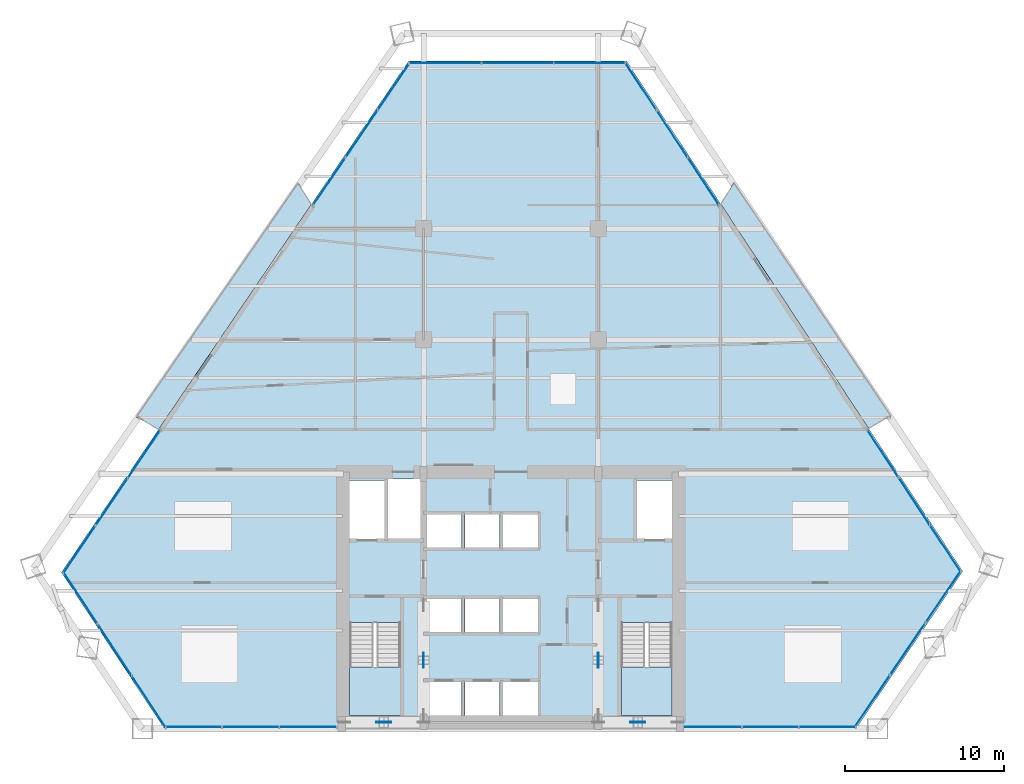
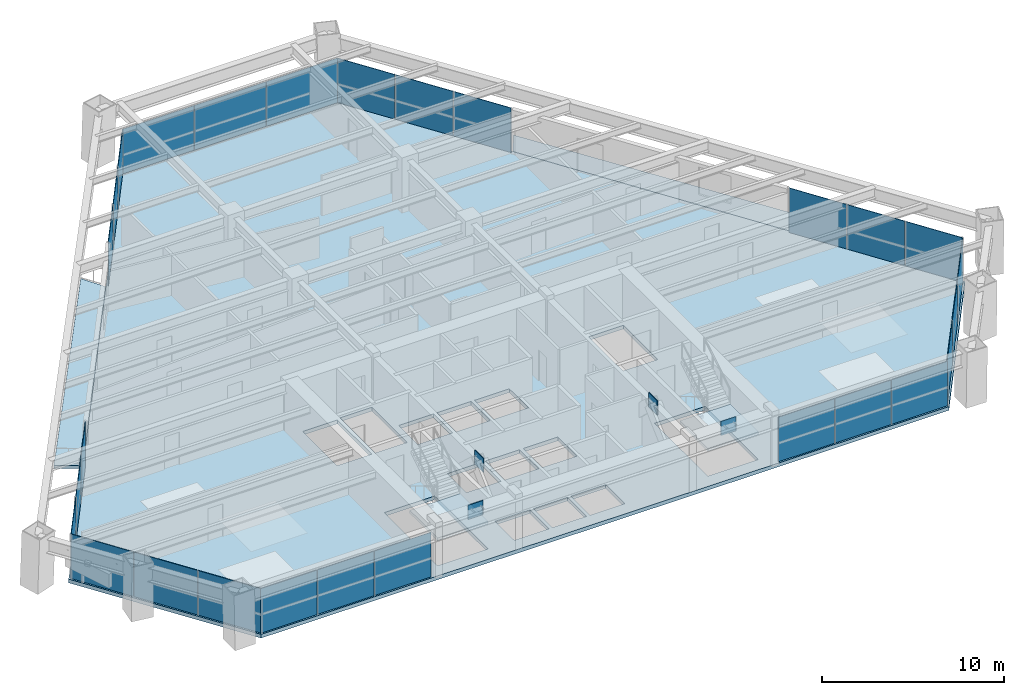
# One storey, part 9 of 14: 31 plates, 5 slabs, 11 elements without a shape of their own.
"""IFC4 building model written with IfcOpenShell, lengths in metres."""

from ifc_helpers import new_model, si_unit, direction, frame, origin, origin_2d, place, context, subcontext, project, spatial, polyline, rectangle, outline, extrude, source, transform, mapped, material, layer, layer_set, type_object, element, aggregate, save


model = new_model("IFC4")

# Units and contexts
model_context = context("Model", 3, precision=1e-05, world=origin(), true_north=direction((0.0, 1.0)))
body_context = subcontext(model_context, "Body", "Model", "MODEL_VIEW")
ifc_project = project(units=[si_unit("LENGTHUNIT", "METRE"), si_unit("AREAUNIT", "SQUARE_METRE"), si_unit("VOLUMEUNIT", "CUBIC_METRE"), si_unit("PLANEANGLEUNIT", "RADIAN"), si_unit("MASSUNIT", "GRAM", prefix="KILO")], contexts=[model_context])

# Site, building, storey
site_placement = place(None, origin())
site = spatial("IfcSite", under=ifc_project, at=site_placement, CompositionType="ELEMENT")
building_placement = place(site_placement, origin())
building = spatial("IfcBuilding", under=site, at=building_placement, Name="Varnakhor Terracotta Tower", CompositionType="ELEMENT")
storey_placement = place(building_placement, frame((0.0, 0.0, 68.199951171875)))
storey = spatial("IfcBuildingStorey", under=building, at=storey_placement, Name="L16", CompositionType="ELEMENT", Elevation=68.199951171875)

# Stair, slab
ifc_material_1 = material(Name="Concrete C40/50", Category="concrete")
stair_type = type_object("IfcStairType", Name="STR-CORE-OFFICE-1500", PredefinedType="HALF_TURN_STAIR", material=ifc_material_1)
stair_1_placement = place(storey_placement, origin())
stair_1 = element("IfcStair", 1, at=stair_1_placement, inside=storey, type_object=stair_type, Name="L16 Core Exit Stair ST-1", PredefinedType="HALF_TURN_STAIR")
ifc_layer_1 = layer(ifc_material_1, 0.179931640625, Name="Concrete C40/50")
ifc_layer_set_1 = layer_set([ifc_layer_1], Name="Concrete C40/50")
slab_type_1 = type_object("IfcSlabType", Name="SLB-LANDING-180", PredefinedType="LANDING", material=ifc_layer_set_1)
slab_1_placement = place(storey_placement, frame((0.0, 0.0, 1.650146484375)))
slab_1 = element("IfcSlab", 2, at=slab_1_placement, type_object=slab_type_1, Name="ST-1 landing 1", PredefinedType="LANDING", context=body_context, shape_type="SweptSolid", body=[
    extrude(outline(polyline([(-10.14990234375, 3.909912109375), (-10.14990234375, 0.85009765625), (-6.949951171875, 0.85009765625), (-6.949951171875, 3.909912109375), (-10.14990234375, 3.909912109375)])), origin(), (0.0, 0.0, 1.0), 0.199951171875),
])
aggregate(stair_1, [slab_1])

stair_2_placement = place(storey_placement, origin())
stair_2 = element("IfcStair", 3, at=stair_2_placement, inside=storey, type_object=stair_type, Name="L16 Core Exit Stair ST-2", PredefinedType="HALF_TURN_STAIR")
slab_2_placement = place(storey_placement, frame((0.0, 0.0, 1.650146484375)))
slab_2 = element("IfcSlab", 4, at=slab_2_placement, type_object=slab_type_1, Name="ST-2 landing 1", PredefinedType="LANDING", context=body_context, shape_type="SweptSolid", body=[
    extrude(outline(polyline([(6.949951171875, 3.909912109375), (6.949951171875, 0.85009765625), (10.14990234375, 0.85009765625), (10.14990234375, 3.909912109375), (6.949951171875, 3.909912109375)])), origin(), (0.0, 0.0, 1.0), 0.199951171875),
])
aggregate(stair_2, [slab_2])

# Slabs
ifc_layer_2 = layer(ifc_material_1, 0.195068359375, Name="Concrete C40/50")
ifc_layer_set_2 = layer_set([ifc_layer_2], Name="Concrete C40/50")
slab_type_2 = type_object("IfcSlabType", Name="SLB-LOGGIA-EXT-195", PredefinedType="FLOOR", material=ifc_layer_set_2)
slab_3_placement = place(storey_placement, frame((0.0, 0.0, -0.195068359375)))
element("IfcSlab", 5, at=slab_3_placement, inside=storey, type_object=slab_type_2, Name="L16 E Recessed Outdoor Loggia Slab", PredefinedType="FLOOR", context=body_context, shape_type="SweptSolid", body=[
    extrude(outline(polyline([(14.024169921875, 34.41064453125), (23.932861328125, 19.6953125), (22.528564453125, 18.917724609375), (13.214111328125, 33.05224609375), (14.024169921875, 34.41064453125)])), origin(), (0.0, 0.0, 1.0), 0.195068359375),
])
slab_4_placement = place(storey_placement, frame((0.0, 0.0, -0.195068359375)))
element("IfcSlab", 6, at=slab_4_placement, inside=storey, type_object=slab_type_2, Name="L16 W Recessed Outdoor Loggia Slab", PredefinedType="FLOOR", context=body_context, shape_type="SweptSolid", body=[
    extrude(outline(polyline([(-23.59228515625, 19.640380859375), (-13.377197265625, 34.389404296875), (-12.56640625, 33.03173828125), (-22.185546875, 18.864990234375), (-23.59228515625, 19.640380859375)])), origin(), (0.0, 0.0, 1.0), 0.195068359375),
])
ifc_layer_3 = layer(ifc_material_1, 0.25, Name="Concrete C40/50")
ifc_layer_set_3 = layer_set([ifc_layer_3], Name="Concrete C40/50")
slab_type_3 = type_object("IfcSlabType", Name="SLB-OFF-250", PredefinedType="FLOOR", material=ifc_layer_set_3)
slab_5_placement = place(storey_placement, frame((0.0, 0.0, -0.25)))
element("IfcSlab", 7, at=slab_5_placement, inside=storey, type_object=slab_type_3, Name="L16 Structural Floor Slab", PredefinedType="FLOOR", context=body_context, shape_type="SweptSolid", body=[
    extrude(outline(polyline([(-28.306884765625, 9.85009765625), (-6.4453125, 42.046875), (7.286865234375, 42.046875), (28.455810546875, 9.923095703125), (21.718017578125, 0.0), (-21.81591796875, 0.0), (-28.306884765625, 9.85009765625)]), holes=[polyline([(-3.10009765625, 0.85009765625), (-3.10009765625, 2.949951171875), (-5.300048828125, 2.949951171875), (-5.300048828125, 0.85009765625), (-3.10009765625, 0.85009765625)]), polyline([(-2.8798828125, 0.85009765625), (-0.719970703125, 0.85009765625), (-0.719970703125, 2.949951171875), (-2.8798828125, 2.949951171875), (-2.8798828125, 0.85009765625)]), polyline([(-10.14990234375, 0.85009765625), (-6.949951171875, 0.85009765625), (-6.949951171875, 6.695068359375), (-10.14990234375, 6.695068359375), (-10.14990234375, 0.85009765625)]), polyline([(-5.300048828125, 6.10009765625), (-3.10009765625, 6.10009765625), (-3.10009765625, 8.199951171875), (-5.300048828125, 8.199951171875), (-5.300048828125, 6.10009765625)]), polyline([(-5.300048828125, 11.419921875), (-3.10009765625, 11.419921875), (-3.10009765625, 13.52001953125), (-5.300048828125, 13.52001953125), (-5.300048828125, 11.419921875)]), polyline([(-10.14990234375, 11.8798828125), (-7.949951171875, 11.8798828125), (-7.949951171875, 15.64990234375), (-10.14990234375, 15.64990234375), (-10.14990234375, 11.8798828125)]), polyline([(-7.72998046875, 11.8798828125), (-5.699951171875, 11.8798828125), (-5.699951171875, 15.75), (-7.72998046875, 15.75), (-7.72998046875, 11.8798828125)]), polyline([(1.699951171875, 0.85009765625), (1.699951171875, 2.949951171875), (-0.5, 2.949951171875), (-0.5, 0.85009765625), (1.699951171875, 0.85009765625)]), polyline([(6.949951171875, 0.85009765625), (10.14990234375, 0.85009765625), (10.14990234375, 6.695068359375), (6.949951171875, 6.695068359375), (6.949951171875, 0.85009765625)]), polyline([(-2.8798828125, 6.10009765625), (-0.719970703125, 6.10009765625), (-0.719970703125, 8.199951171875), (-2.8798828125, 8.199951171875), (-2.8798828125, 6.10009765625)]), polyline([(-0.5, 6.10009765625), (1.699951171875, 6.10009765625), (1.699951171875, 8.199951171875), (-0.5, 8.199951171875), (-0.5, 6.10009765625)]), polyline([(-2.8798828125, 11.419921875), (-0.719970703125, 11.419921875), (-0.719970703125, 13.52001953125), (-2.8798828125, 13.52001953125), (-2.8798828125, 11.419921875)]), polyline([(-0.5, 11.419921875), (1.699951171875, 11.419921875), (1.699951171875, 13.52001953125), (-0.5, 13.52001953125), (-0.5, 11.419921875)]), polyline([(7.949951171875, 11.8798828125), (10.14990234375, 11.8798828125), (10.14990234375, 15.64990234375), (7.949951171875, 15.64990234375), (7.949951171875, 11.8798828125)])]), origin(), (0.0, 0.0, 1.0), 0.25),
])

# Plates
ifc_material_2 = material(Name="Steel S460", Category="steel")
ifc_layer_4 = layer(ifc_material_2, 0.050048828125, Name="Steel S460")
ifc_layer_set_4 = layer_set([ifc_layer_4], Name="Steel S460")
plate_type_1 = type_object("IfcPlateType", Name="PLT-GUSSET-50", PredefinedType="USERDEFINED", material=ifc_layer_set_4)
shared_shape_1 = source(origin(), body_context, "Body", "SweptSolid", [
    extrude(rectangle(XDim=0.949951171875, YDim=0.044921875, at=origin_2d()), origin(), (0.0, 0.0, 1.0), 0.949951171875),
])
for number, where, z_axis, x_axis, name in (
    (8, (-8.0, 0.419921875, 2.77490234375), (0.0, 0.0, 1.0), (1.0, 0.0, 0.0), "L16 Core Brace Apex Gusset CSW"),
    (9, (8.0, 0.419921875, 2.77490234375), (0.0, 0.0, 1.0), (1.0, 0.0, 0.0), "L16 Core Brace Apex Gusset CSE"),
    (10, (-5.5, 4.324951171875, 2.77490234375), (0.0, 0.0, 1.0), (0.0, 1.0, 0.0), "L16 Core Brace Apex Gusset CWW"),
    (11, (5.5, 4.324951171875, 2.77490234375), (0.0, 0.0, 1.0), (0.0, 1.0, 0.0), "L16 Core Brace Apex Gusset CWE"),
):
    element("IfcPlate", number, at=place(storey_placement, frame(where, z_axis=z_axis, x_axis=x_axis)), inside=storey, type_object=plate_type_1, Name=name, ObjectType="GUSSET PLATE", PredefinedType="USERDEFINED", context=body_context, shape_type="MappedRepresentation", body=[
        mapped(shared_shape_1, transform((0.0, 0.0, 0.0), scale=1.0)),
    ])

# Curtain wall, plates
ifc_material_3 = material(Name="Anodised Aluminium Curtain Wall System", Category="aluminium")
curtain_wall_type = type_object("IfcCurtainWallType", Name="CW-SYS-LOW-OFFICE", PredefinedType="NOTDEFINED", material=ifc_material_3)
curtain_wall_1_placement = place(storey_placement, origin())
curtain_wall_1 = element("IfcCurtainWall", 12, at=curtain_wall_1_placement, inside=storey, type_object=curtain_wall_type, Name="L16 W Facet Curtain Wall 1", PredefinedType="NOTDEFINED")
ifc_material_4 = material(Name="Solar-Control Low-E Insulated Glass Panel", Category="glass")
ifc_layer_5 = layer(ifc_material_4, 0.0380859375, Name="Solar-Control Low-E Insulated Glass Panel")
ifc_layer_set_5 = layer_set([ifc_layer_5], Name="Solar-Control Low-E Insulated Glass Panel")
plate_type_2 = type_object("IfcPlateType", Name="CWP-02", PredefinedType="CURTAIN_PANEL", material=ifc_layer_set_5)
shared_shape_2 = source(origin(), body_context, "Body", "SweptSolid", [
    extrude(rectangle(XDim=3.572265625, YDim=0.035888671875, at=origin_2d()), origin(), (0.0, 0.0, 1.0), 2.97998046875),
])
plate_1_placement = place(storey_placement, frame((-27.17626953125, 11.301513671875, 0.0), z_axis=(0.0, 0.0, 1.0), x_axis=(0.561751321152, 0.827306142359, 0.0)))
plate_1 = element("IfcPlate", 13, at=plate_1_placement, type_object=plate_type_2, Name="L16 W Facet Curtain Wall 1 Glazed Panel 1", PredefinedType="CURTAIN_PANEL", context=body_context, shape_type="MappedRepresentation", body=[
    mapped(shared_shape_2, transform((0.0, 0.0, 0.0), scale=1.0)),
])
plate_2_placement = place(storey_placement, frame((-25.14697265625, 14.290283203125, 0.0), z_axis=(0.0, 0.0, 1.0), x_axis=(0.561751321152, 0.827306142359, 0.0)))
plate_2 = element("IfcPlate", 14, at=plate_2_placement, type_object=plate_type_2, Name="L16 W Facet Curtain Wall 1 Glazed Panel 2", PredefinedType="CURTAIN_PANEL", context=body_context, shape_type="MappedRepresentation", body=[
    mapped(shared_shape_2, transform((0.0, 0.0, 0.0), scale=1.0)),
])
plate_3_placement = place(storey_placement, frame((-23.117919921875, 17.278564453125, 0.0), z_axis=(0.0, 0.0, 1.0), x_axis=(0.561751321152, 0.827306142359, 0.0)))
plate_3 = element("IfcPlate", 15, at=plate_3_placement, type_object=plate_type_2, Name="L16 W Facet Curtain Wall 1 Glazed Panel 3", PredefinedType="CURTAIN_PANEL", context=body_context, shape_type="MappedRepresentation", body=[
    mapped(shared_shape_2, transform((0.0, 0.0, 0.0), scale=1.0)),
])
aggregate(curtain_wall_1, [plate_1, plate_2, plate_3])

curtain_wall_2_placement = place(storey_placement, origin())
curtain_wall_2 = element("IfcCurtainWall", 16, at=curtain_wall_2_placement, inside=storey, type_object=curtain_wall_type, Name="L16 W Facet Curtain Wall 2", PredefinedType="NOTDEFINED")
plate_4_placement = place(storey_placement, frame((-11.435791015625, 34.4833984375, 0.0), z_axis=(0.0, 0.0, 1.0), x_axis=(0.561751321152, 0.827306142359, 0.0)))
plate_4 = element("IfcPlate", 17, at=plate_4_placement, type_object=plate_type_2, Name="L16 W Facet Curtain Wall 2 Glazed Panel 1", PredefinedType="CURTAIN_PANEL", context=body_context, shape_type="MappedRepresentation", body=[
    mapped(shared_shape_2, transform((0.0, 0.0, 0.0), scale=1.0)),
])
plate_5_placement = place(storey_placement, frame((-9.406494140625, 37.471923828125, 0.0), z_axis=(0.0, 0.0, 1.0), x_axis=(0.561751321152, 0.827306142359, 0.0)))
plate_5 = element("IfcPlate", 18, at=plate_5_placement, type_object=plate_type_2, Name="L16 W Facet Curtain Wall 2 Glazed Panel 2", PredefinedType="CURTAIN_PANEL", context=body_context, shape_type="MappedRepresentation", body=[
    mapped(shared_shape_2, transform((0.0, 0.0, 0.0), scale=1.0)),
])
plate_6_placement = place(storey_placement, frame((-7.37744140625, 40.460205078125, 0.0), z_axis=(0.0, 0.0, 1.0), x_axis=(0.561751321152, 0.827306142359, 0.0)))
plate_6 = element("IfcPlate", 19, at=plate_6_placement, type_object=plate_type_2, Name="L16 W Facet Curtain Wall 2 Glazed Panel 3", PredefinedType="CURTAIN_PANEL", context=body_context, shape_type="MappedRepresentation", body=[
    mapped(shared_shape_2, transform((0.0, 0.0, 0.0), scale=1.0)),
])
aggregate(curtain_wall_2, [plate_4, plate_5, plate_6])

curtain_wall_3_placement = place(storey_placement, origin())
curtain_wall_3 = element("IfcCurtainWall", 20, at=curtain_wall_3_placement, inside=storey, type_object=curtain_wall_type, Name="L16 Facet Curtain Wall 2", PredefinedType="NOTDEFINED")
shared_shape_3 = source(origin(), body_context, "Body", "SweptSolid", [
    extrude(rectangle(XDim=4.517333984375, YDim=0.035888671875, at=origin_2d()), origin(), (0.0, 0.0, 1.0), 2.97998046875),
])
plate_7_placement = place(storey_placement, frame((-4.136474609375, 41.9267578125, 0.0), z_axis=(0.0, 0.0, 1.0), x_axis=(1.0, 0.0, 0.0)))
plate_7 = element("IfcPlate", 21, at=plate_7_placement, type_object=plate_type_2, Name="L16 Facet Curtain Wall 2 Glazed Panel 1", PredefinedType="CURTAIN_PANEL", context=body_context, shape_type="MappedRepresentation", body=[
    mapped(shared_shape_3, transform((0.0, 0.0, 0.0), scale=1.0)),
])
plate_8_placement = place(storey_placement, frame((0.4208984375, 41.9267578125, 0.0), z_axis=(0.0, 0.0, 1.0), x_axis=(1.0, 0.0, 0.0)))
plate_8 = element("IfcPlate", 22, at=plate_8_placement, type_object=plate_type_2, Name="L16 Facet Curtain Wall 2 Glazed Panel 2", PredefinedType="CURTAIN_PANEL", context=body_context, shape_type="MappedRepresentation", body=[
    mapped(shared_shape_3, transform((0.0, 0.0, 0.0), scale=1.0)),
])
plate_9_placement = place(storey_placement, frame((4.978271484375, 41.9267578125, 0.0), z_axis=(0.0, 0.0, 1.0), x_axis=(1.0, 0.0, 0.0)))
plate_9 = element("IfcPlate", 23, at=plate_9_placement, type_object=plate_type_2, Name="L16 Facet Curtain Wall 2 Glazed Panel 3", PredefinedType="CURTAIN_PANEL", context=body_context, shape_type="MappedRepresentation", body=[
    mapped(shared_shape_3, transform((0.0, 0.0, 0.0), scale=1.0)),
])
aggregate(curtain_wall_3, [plate_7, plate_8, plate_9])

curtain_wall_4_placement = place(storey_placement, origin())
curtain_wall_4 = element("IfcCurtainWall", 24, at=curtain_wall_4_placement, inside=storey, type_object=curtain_wall_type, Name="L16 E Facet Curtain Wall 1", PredefinedType="NOTDEFINED")
shared_shape_4 = source(origin(), body_context, "Body", "SweptSolid", [
    extrude(rectangle(XDim=3.53076171875, YDim=0.035888671875, at=origin_2d()), origin(), (0.0, 0.0, 1.0), 2.97998046875),
])
plate_10_placement = place(storey_placement, frame((8.185546875, 40.465087890625, 0.0), z_axis=(0.0, 0.0, 1.0), x_axis=(0.550247585121, -0.835001553932, 0.0)))
plate_10 = element("IfcPlate", 25, at=plate_10_placement, type_object=plate_type_2, Name="L16 E Facet Curtain Wall 1 Glazed Panel 1", PredefinedType="CURTAIN_PANEL", context=body_context, shape_type="MappedRepresentation", body=[
    mapped(shared_shape_4, transform((0.0, 0.0, 0.0), scale=1.0)),
])
plate_11_placement = place(storey_placement, frame((12.114990234375, 34.501953125, 0.0), z_axis=(0.0, 0.0, 1.0), x_axis=(0.550247585121, -0.835001553932, 0.0)))
plate_11 = element("IfcPlate", 26, at=plate_11_placement, type_object=plate_type_2, Name="L16 E Facet Curtain Wall 1 Glazed Panel 3", PredefinedType="CURTAIN_PANEL", context=body_context, shape_type="MappedRepresentation", body=[
    mapped(shared_shape_4, transform((0.0, 0.0, 0.0), scale=1.0)),
])

curtain_wall_5_placement = place(storey_placement, origin())
curtain_wall_5 = element("IfcCurtainWall", 27, at=curtain_wall_5_placement, inside=storey, type_object=curtain_wall_type, Name="L16 E Facet Curtain Wall 2", PredefinedType="NOTDEFINED")
plate_12_placement = place(storey_placement, frame((23.42724609375, 17.3359375, 0.0), z_axis=(0.0, 0.0, 1.0), x_axis=(0.550247585121, -0.835001553932, 0.0)))
plate_12 = element("IfcPlate", 28, at=plate_12_placement, type_object=plate_type_2, Name="L16 E Facet Curtain Wall 2 Glazed Panel 1", PredefinedType="CURTAIN_PANEL", context=body_context, shape_type="MappedRepresentation", body=[
    mapped(shared_shape_4, transform((0.0, 0.0, 0.0), scale=1.0)),
])
plate_13_placement = place(storey_placement, frame((27.356689453125, 11.372802734375, 0.0), z_axis=(0.0, 0.0, 1.0), x_axis=(0.550247585121, -0.835001553932, 0.0)))
plate_13 = element("IfcPlate", 29, at=plate_13_placement, type_object=plate_type_2, Name="L16 E Facet Curtain Wall 2 Glazed Panel 3", PredefinedType="CURTAIN_PANEL", context=body_context, shape_type="MappedRepresentation", body=[
    mapped(shared_shape_4, transform((0.0, 0.0, 0.0), scale=1.0)),
])

# Plate
shared_shape_5 = source(origin(), body_context, "Body", "SweptSolid", [
    extrude(rectangle(XDim=3.530517578125, YDim=0.035888671875, at=origin_2d()), origin(), (0.0, 0.0, 1.0), 2.97998046875),
])
plate_14_placement = place(storey_placement, frame((10.150146484375, 37.4833984375, 0.0), z_axis=(0.0, 0.0, 1.0), x_axis=(0.550247585121, -0.835001553932, 0.0)))
plate_14 = element("IfcPlate", 30, at=plate_14_placement, type_object=plate_type_2, Name="L16 E Facet Curtain Wall 1 Glazed Panel 2", PredefinedType="CURTAIN_PANEL", context=body_context, shape_type="MappedRepresentation", body=[
    mapped(shared_shape_5, transform((0.0, 0.0, 0.0), scale=1.0)),
])

aggregate(curtain_wall_4, [plate_10, plate_14, plate_11])

plate_15_placement = place(storey_placement, frame((25.39208984375, 14.3544921875, 0.0), z_axis=(0.0, 0.0, 1.0), x_axis=(0.550247585121, -0.835001553932, 0.0)))
plate_15 = element("IfcPlate", 31, at=plate_15_placement, type_object=plate_type_2, Name="L16 E Facet Curtain Wall 2 Glazed Panel 2", PredefinedType="CURTAIN_PANEL", context=body_context, shape_type="MappedRepresentation", body=[
    mapped(shared_shape_5, transform((0.0, 0.0, 0.0), scale=1.0)),
])

aggregate(curtain_wall_5, [plate_12, plate_15, plate_13])

# Curtain wall, plates
curtain_wall_6_placement = place(storey_placement, origin())
curtain_wall_6 = element("IfcCurtainWall", 32, at=curtain_wall_6_placement, inside=storey, type_object=curtain_wall_type, Name="L16 Facet Curtain Wall 4", PredefinedType="NOTDEFINED")
shared_shape_6 = source(origin(), body_context, "Body", "SweptSolid", [
    extrude(rectangle(XDim=3.938232421875, YDim=0.035888671875, at=origin_2d()), origin(), (0.0, 0.0, 1.0), 2.97998046875),
])
plate_16_placement = place(storey_placement, frame((27.222412109375, 8.3203125, 0.0), z_axis=(0.0, 0.0, 1.0), x_axis=(-0.561751321152, -0.827306142359, 0.0)))
plate_16 = element("IfcPlate", 33, at=plate_16_placement, type_object=plate_type_2, Name="L16 Facet Curtain Wall 4 Glazed Panel 1", PredefinedType="CURTAIN_PANEL", context=body_context, shape_type="MappedRepresentation", body=[
    mapped(shared_shape_6, transform((0.0, 0.0, 0.0), scale=1.0)),
])
plate_17_placement = place(storey_placement, frame((24.987548828125, 5.029052734375, 0.0), z_axis=(0.0, 0.0, 1.0), x_axis=(-0.561751321152, -0.827306142359, 0.0)))
plate_17 = element("IfcPlate", 34, at=plate_17_placement, type_object=plate_type_2, Name="L16 Facet Curtain Wall 4 Glazed Panel 2", PredefinedType="CURTAIN_PANEL", context=body_context, shape_type="MappedRepresentation", body=[
    mapped(shared_shape_6, transform((0.0, 0.0, 0.0), scale=1.0)),
])
plate_18_placement = place(storey_placement, frame((22.7529296875, 1.73779296875, 0.0), z_axis=(0.0, 0.0, 1.0), x_axis=(-0.561751321152, -0.827306142359, 0.0)))
plate_18 = element("IfcPlate", 35, at=plate_18_placement, type_object=plate_type_2, Name="L16 Facet Curtain Wall 4 Glazed Panel 3", PredefinedType="CURTAIN_PANEL", context=body_context, shape_type="MappedRepresentation", body=[
    mapped(shared_shape_6, transform((0.0, 0.0, 0.0), scale=1.0)),
])
aggregate(curtain_wall_6, [plate_16, plate_17, plate_18])

curtain_wall_7_placement = place(storey_placement, origin())
curtain_wall_7 = element("IfcCurtainWall", 36, at=curtain_wall_7_placement, inside=storey, type_object=curtain_wall_type, Name="L16 South Wing Curtain Wall SSE", PredefinedType="NOTDEFINED")
shared_shape_7 = source(origin(), body_context, "Body", "SweptSolid", [
    extrude(rectangle(XDim=3.539306640625, YDim=0.035888671875, at=origin_2d()), origin(), (0.0, 0.0, 1.0), 2.97998046875),
])
plate_19_placement = place(storey_placement, frame((19.918212890625, 0.1201171875, 0.0), z_axis=(0.0, 0.0, 1.0), x_axis=(-1.0, 0.0, 0.0)))
plate_19 = element("IfcPlate", 37, at=plate_19_placement, type_object=plate_type_2, Name="L16 South Wing Curtain Wall SSE Glazed Panel 1", PredefinedType="CURTAIN_PANEL", context=body_context, shape_type="MappedRepresentation", body=[
    mapped(shared_shape_7, transform((0.0, 0.0, 0.0), scale=1.0)),
])
plate_20_placement = place(storey_placement, frame((16.339111328125, 0.1201171875, 0.0), z_axis=(0.0, 0.0, 1.0), x_axis=(-1.0, 0.0, 0.0)))
plate_20 = element("IfcPlate", 38, at=plate_20_placement, type_object=plate_type_2, Name="L16 South Wing Curtain Wall SSE Glazed Panel 2", PredefinedType="CURTAIN_PANEL", context=body_context, shape_type="MappedRepresentation", body=[
    mapped(shared_shape_7, transform((0.0, 0.0, 0.0), scale=1.0)),
])
plate_21_placement = place(storey_placement, frame((12.759765625, 0.1201171875, 0.0), z_axis=(0.0, 0.0, 1.0), x_axis=(-1.0, 0.0, 0.0)))
plate_21 = element("IfcPlate", 39, at=plate_21_placement, type_object=plate_type_2, Name="L16 South Wing Curtain Wall SSE Glazed Panel 3", PredefinedType="CURTAIN_PANEL", context=body_context, shape_type="MappedRepresentation", body=[
    mapped(shared_shape_7, transform((0.0, 0.0, 0.0), scale=1.0)),
])
aggregate(curtain_wall_7, [plate_19, plate_20, plate_21])

curtain_wall_8_placement = place(storey_placement, origin())
curtain_wall_8 = element("IfcCurtainWall", 40, at=curtain_wall_8_placement, inside=storey, type_object=curtain_wall_type, Name="L16 South Wing Curtain Wall SSW", PredefinedType="NOTDEFINED")
shared_shape_8 = source(origin(), body_context, "Body", "SweptSolid", [
    extrude(rectangle(XDim=3.572021484375, YDim=0.035888671875, at=origin_2d()), origin(), (0.0, 0.0, 1.0), 2.97998046875),
])
plate_22_placement = place(storey_placement, frame((-12.77587890625, 0.1201171875, 0.0), z_axis=(0.0, 0.0, 1.0), x_axis=(-1.0, 0.0, 0.0)))
plate_22 = element("IfcPlate", 41, at=plate_22_placement, type_object=plate_type_2, Name="L16 South Wing Curtain Wall SSW Glazed Panel 1", PredefinedType="CURTAIN_PANEL", context=body_context, shape_type="MappedRepresentation", body=[
    mapped(shared_shape_8, transform((0.0, 0.0, 0.0), scale=1.0)),
])
plate_23_placement = place(storey_placement, frame((-16.387939453125, 0.1201171875, 0.0), z_axis=(0.0, 0.0, 1.0), x_axis=(-1.0, 0.0, 0.0)))
plate_23 = element("IfcPlate", 42, at=plate_23_placement, type_object=plate_type_2, Name="L16 South Wing Curtain Wall SSW Glazed Panel 2", PredefinedType="CURTAIN_PANEL", context=body_context, shape_type="MappedRepresentation", body=[
    mapped(shared_shape_8, transform((0.0, 0.0, 0.0), scale=1.0)),
])
plate_24_placement = place(storey_placement, frame((-20.0, 0.1201171875, 0.0), z_axis=(0.0, 0.0, 1.0), x_axis=(-1.0, 0.0, 0.0)))
plate_24 = element("IfcPlate", 43, at=plate_24_placement, type_object=plate_type_2, Name="L16 South Wing Curtain Wall SSW Glazed Panel 3", PredefinedType="CURTAIN_PANEL", context=body_context, shape_type="MappedRepresentation", body=[
    mapped(shared_shape_8, transform((0.0, 0.0, 0.0), scale=1.0)),
])
aggregate(curtain_wall_8, [plate_22, plate_23, plate_24])

curtain_wall_9_placement = place(storey_placement, origin())
curtain_wall_9 = element("IfcCurtainWall", 44, at=curtain_wall_9_placement, inside=storey, type_object=curtain_wall_type, Name="L16 Facet Curtain Wall 6", PredefinedType="NOTDEFINED")
shared_shape_9 = source(origin(), body_context, "Body", "SweptSolid", [
    extrude(rectangle(XDim=3.8720703125, YDim=0.035888671875, at=origin_2d()), origin(), (0.0, 0.0, 1.0), 2.97998046875),
])
plate_25_placement = place(storey_placement, frame((-22.80859375, 1.724365234375, 0.0), z_axis=(0.0, 0.0, 1.0), x_axis=(-0.550247585121, 0.835001553932, 0.0)))
plate_25 = element("IfcPlate", 45, at=plate_25_placement, type_object=plate_type_2, Name="L16 Facet Curtain Wall 6 Glazed Panel 1", PredefinedType="CURTAIN_PANEL", context=body_context, shape_type="MappedRepresentation", body=[
    mapped(shared_shape_9, transform((0.0, 0.0, 0.0), scale=1.0)),
])
plate_26_placement = place(storey_placement, frame((-24.961181640625, 4.990966796875, 0.0), z_axis=(0.0, 0.0, 1.0), x_axis=(-0.550247585121, 0.835001553932, 0.0)))
plate_26 = element("IfcPlate", 46, at=plate_26_placement, type_object=plate_type_2, Name="L16 Facet Curtain Wall 6 Glazed Panel 2", PredefinedType="CURTAIN_PANEL", context=body_context, shape_type="MappedRepresentation", body=[
    mapped(shared_shape_9, transform((0.0, 0.0, 0.0), scale=1.0)),
])
shared_shape_10 = source(origin(), body_context, "Body", "SweptSolid", [
    extrude(rectangle(XDim=3.872314453125, YDim=0.035888671875, at=origin_2d()), origin(), (0.0, 0.0, 1.0), 2.97998046875),
])
plate_27_placement = place(storey_placement, frame((-27.11376953125, 8.257568359375, 0.0), z_axis=(0.0, 0.0, 1.0), x_axis=(-0.550247585121, 0.835001553932, 0.0)))
plate_27 = element("IfcPlate", 47, at=plate_27_placement, type_object=plate_type_2, Name="L16 Facet Curtain Wall 6 Glazed Panel 3", PredefinedType="CURTAIN_PANEL", context=body_context, shape_type="MappedRepresentation", body=[
    mapped(shared_shape_10, transform((0.0, 0.0, 0.0), scale=1.0)),
])
aggregate(curtain_wall_9, [plate_25, plate_26, plate_27])

save(model, "model.ifc")
